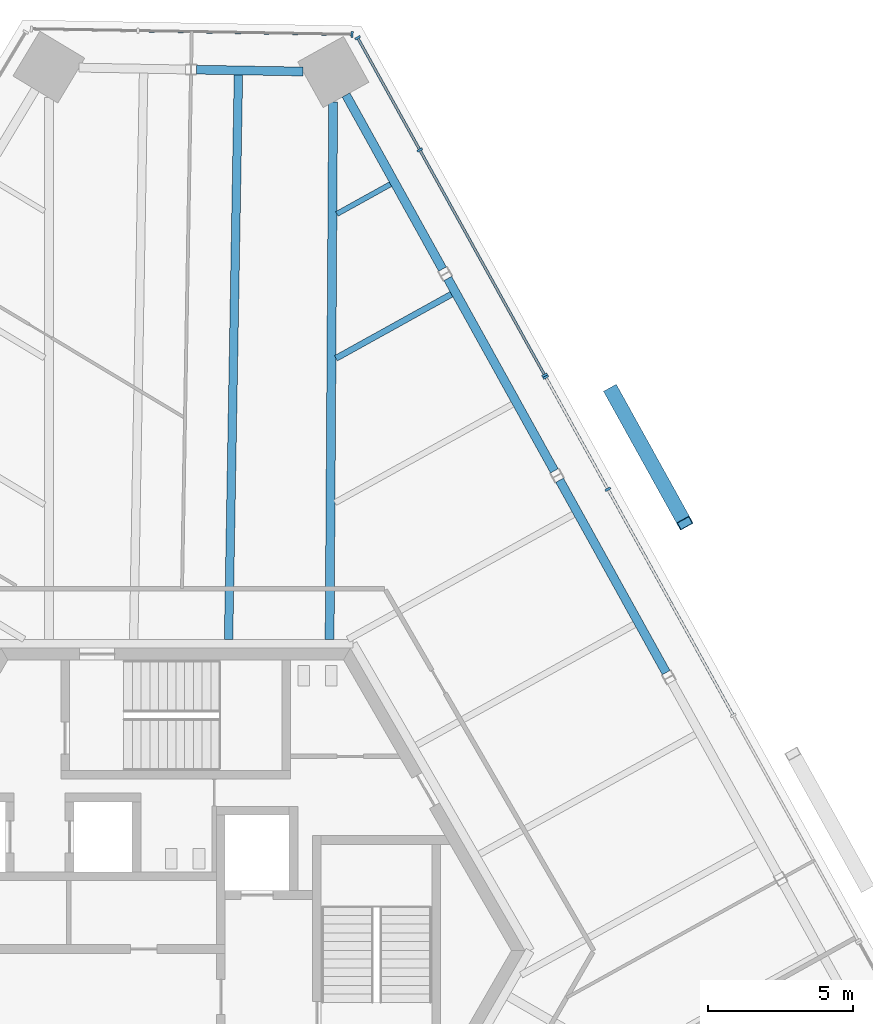
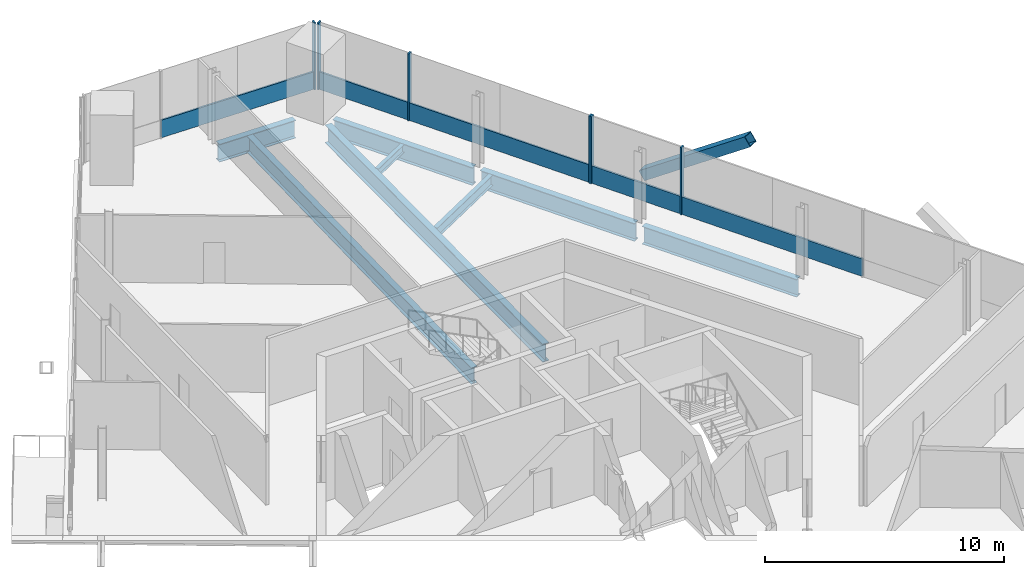
# One storey, part 9 of 18: 12 members, 8 beams, 3 elements without a shape of their own.
"""IFC4 building model written with IfcOpenShell, lengths in metres."""

from ifc_helpers import new_model, si_unit, direction, frame, origin, origin_2d, place, context, subcontext, project, spatial, rectangle, hollow_rectangle, i_section, extrude, source, transform, mapped, material, material_profile, profile_set, type_object, element, aggregate, save


model = new_model("IFC4")

# Units and contexts
model_context = context("Model", 3, precision=1e-05, world=origin(), true_north=direction((0.0, 1.0)))
body_context = subcontext(model_context, "Body", "Model", "MODEL_VIEW")
ifc_project = project(units=[si_unit("LENGTHUNIT", "METRE"), si_unit("AREAUNIT", "SQUARE_METRE"), si_unit("VOLUMEUNIT", "CUBIC_METRE"), si_unit("PLANEANGLEUNIT", "RADIAN"), si_unit("MASSUNIT", "GRAM", prefix="KILO")], contexts=[model_context])

# Site, building, storey
site_placement = place(None, origin())
site = spatial("IfcSite", under=ifc_project, at=site_placement, CompositionType="ELEMENT")
building_placement = place(site_placement, origin())
building = spatial("IfcBuilding", under=site, at=building_placement, Name="Triune Harvest Tower", CompositionType="ELEMENT")
storey_placement = place(building_placement, frame((0.0, 0.0, 190.699951171875)))
storey = spatial("IfcBuildingStorey", under=building, at=storey_placement, Name="L49", CompositionType="ELEMENT", Elevation=190.699951171875)

# Beams
ifc_material_1 = material(Name="Steel ASTM A992 Gr 50", Category="steel")
ifc_material_profile_1 = material_profile(ifc_material_1, i_section(OverallWidth=0.3046875, OverallDepth=0.914306640625, WebThickness=0.0166015625, FlangeThickness=0.02587890625, at=origin_2d()), Name="W36x160")
ifc_profile_set_1 = profile_set([ifc_material_profile_1], Name="Steel ASTM A992 Gr 50")
beam_type_1 = type_object("IfcBeamType", Name="SB-1 Spandrel beam W36x160", PredefinedType="SPANDREL", material=ifc_profile_set_1)
shared_shape_1 = source(origin(), body_context, "Body", "SweptSolid", [
    extrude(i_section(OverallWidth=0.3046875, OverallDepth=0.914306640625, WebThickness=0.0166015625, FlangeThickness=0.02587890625, at=origin_2d()), origin(), (0.0, 0.0, 1.0), 6.841796875),
])
beam_1_placement = place(storey_placement, frame((9.16943359375, 23.421875, -0.6171875), z_axis=(-0.484833781575, 0.87460631386, 0.0), x_axis=(-0.87460631386, -0.484833781575, 0.0)))
element("IfcBeam", 1, at=beam_1_placement, inside=storey, type_object=beam_type_1, Name="beam/L49/SB6", PredefinedType="SPANDREL", context=body_context, shape_type="MappedRepresentation", body=[
    mapped(shared_shape_1, transform((0.0, 0.0, 0.0), scale=1.0)),
])
shared_shape_2 = source(origin(), body_context, "Body", "SweptSolid", [
    extrude(i_section(OverallWidth=0.3046875, OverallDepth=0.914306640625, WebThickness=0.0166015625, FlangeThickness=0.02587890625, at=origin_2d()), origin(), (0.0, 0.0, 1.0), 7.556396484375),
])
for number, where, z_axis, x_axis, name in (
    (2, (16.855712890625, 9.555419921875, -0.6171875), (-0.484806011206, 0.874621707654, 0.0), (-0.874621707654, -0.484806011206, 0.0), "beam/L49/SB4"),
    (3, (13.0126953125, 16.488525390625, -0.6171875), (-0.484830726301, 0.874608007529, 0.0), (-0.874608007529, -0.484830726301, 0.0), "beam/L49/SB5"),
):
    element("IfcBeam", number, at=place(storey_placement, frame(where, z_axis=z_axis, x_axis=x_axis)), inside=storey, type_object=beam_type_1, Name=name, PredefinedType="SPANDREL", context=body_context, shape_type="MappedRepresentation", body=[
        mapped(shared_shape_2, transform((0.0, 0.0, 0.0), scale=1.0)),
    ])
shared_shape_3 = source(origin(), body_context, "Body", "SweptSolid", [
    extrude(i_section(OverallWidth=0.3046875, OverallDepth=0.914306640625, WebThickness=0.0166015625, FlangeThickness=0.02587890625, at=origin_2d()), origin(), (0.0, 0.0, 1.0), 3.66357421875),
])
beam_2_placement = place(storey_placement, frame((4.376953125, 30.211181640625, -0.6171875), z_axis=(-0.999847573959, 0.017459348466, 0.0), x_axis=(-0.017459348466, -0.999847573959, 0.0)))
element("IfcBeam", 4, at=beam_2_placement, inside=storey, type_object=beam_type_1, Name="beam/L49/SB7", PredefinedType="SPANDREL", context=body_context, shape_type="MappedRepresentation", body=[
    mapped(shared_shape_3, transform((0.0, 0.0, 0.0), scale=1.0)),
])
ifc_material_2 = material(Name="Steel ASTM A992 Gr 50", Category="steel")
ifc_material_profile_2 = material_profile(ifc_material_2, i_section(OverallWidth=0.307373046875, OverallDepth=0.922119140625, WebThickness=0.018310546875, FlangeThickness=0.030029296875, at=origin_2d()), Name="W36x182")
ifc_profile_set_2 = profile_set([ifc_material_profile_2], Name="Steel ASTM A992 Gr 50")
beam_type_2 = type_object("IfcBeamType", Name="HG-2 Hip girder W36x182", PredefinedType="BEAM", material=ifc_profile_set_2)
shared_shape_4 = source(origin(), body_context, "Body", "SweptSolid", [
    extrude(i_section(OverallWidth=0.307373046875, OverallDepth=0.922119140625, WebThickness=0.018310546875, FlangeThickness=0.030029296875, at=origin_2d()), origin(), (0.0, 0.0, 1.0), 18.463623046875),
])
beam_3_placement = place(storey_placement, frame((5.409423828125, 29.16015625, -0.620849609375), z_axis=(-0.006518869748, -0.999978751943, 0.0), x_axis=(0.999978751943, -0.006518869748, 0.0)))
element("IfcBeam", 5, at=beam_3_placement, inside=storey, type_object=beam_type_2, Name="beam/L49/HG3", PredefinedType="BEAM", context=body_context, shape_type="MappedRepresentation", body=[
    mapped(shared_shape_4, transform((0.0, 0.0, 0.0), scale=1.0)),
])
ifc_material_3 = material(Name="Steel ASTM A992 Gr 50", Category="steel")
ifc_material_profile_3 = material_profile(ifc_material_3, i_section(OverallWidth=0.2099609375, OverallDepth=0.535888671875, WebThickness=0.010986328125, FlangeThickness=0.017333984375, at=origin_2d()), Name="W21x68")
ifc_profile_set_3 = profile_set([ifc_material_profile_3], Name="Steel ASTM A992 Gr 50")
beam_type_3 = type_object("IfcBeamType", Name="JT-2 Floor joist W21x68", PredefinedType="JOIST", material=ifc_profile_set_3)
shared_shape_5 = source(origin(), body_context, "Body", "SweptSolid", [
    extrude(i_section(OverallWidth=0.2099609375, OverallDepth=0.535888671875, WebThickness=0.010986328125, FlangeThickness=0.017333984375, at=origin_2d()), origin(), (0.0, 0.0, 1.0), 4.538818359375),
])
beam_4_placement = place(storey_placement, frame((9.475341796875, 22.555419921875, -0.427978515625), z_axis=(-0.874621193693, -0.484806938423, 0.0), x_axis=(0.484806938423, -0.874621193693, 0.0)))
element("IfcBeam", 6, at=beam_4_placement, inside=storey, type_object=beam_type_3, Name="beam/L49/JT9", PredefinedType="JOIST", context=body_context, shape_type="MappedRepresentation", body=[
    mapped(shared_shape_5, transform((0.0, 0.0, 0.0), scale=1.0)),
])
ifc_material_4 = material(Name="Steel ASTM A992 Gr 50", Category="steel")
ifc_material_profile_4 = material_profile(ifc_material_4, i_section(OverallWidth=0.180908203125, OverallDepth=0.41650390625, WebThickness=0.010986328125, FlangeThickness=0.01806640625, at=origin_2d()), Name="W16x57")
ifc_profile_set_4 = profile_set([ifc_material_profile_4], Name="Steel ASTM A992 Gr 50")
beam_type_4 = type_object("IfcBeamType", Name="JT-1 Floor joist W16x57", PredefinedType="JOIST", material=ifc_profile_set_4)
shared_shape_6 = source(origin(), body_context, "Body", "SweptSolid", [
    extrude(i_section(OverallWidth=0.180908203125, OverallDepth=0.41650390625, WebThickness=0.010986328125, FlangeThickness=0.01806640625, at=origin_2d()), origin(), (0.0, 0.0, 1.0), 2.10498046875),
])
beam_5_placement = place(storey_placement, frame((7.379150390625, 26.33740234375, -0.3681640625), z_axis=(-0.874621898411, -0.484805667067, 0.0), x_axis=(0.484805667067, -0.874621898411, 0.0)))
element("IfcBeam", 7, at=beam_5_placement, inside=storey, type_object=beam_type_4, Name="beam/L49/JT10", PredefinedType="JOIST", context=body_context, shape_type="MappedRepresentation", body=[
    mapped(shared_shape_6, transform((0.0, 0.0, 0.0), scale=1.0)),
])
ifc_material_5 = material(Name="Steel ASTM A992 Gr 50", Category="steel")
ifc_material_profile_5 = material_profile(ifc_material_5, i_section(OverallWidth=0.2919921875, OverallDepth=0.8408203125, WebThickness=0.0146484375, FlangeThickness=0.021728515625, at=origin_2d()), Name="W33x130")
ifc_profile_set_5 = profile_set([ifc_material_profile_5], Name="Steel ASTM A992 Gr 50")
beam_type_5 = type_object("IfcBeamType", Name="JT-6 Floor joist W33x130", PredefinedType="JOIST", material=ifc_profile_set_5)
shared_shape_7 = source(origin(), body_context, "Body", "SweptSolid", [
    extrude(i_section(OverallWidth=0.2919921875, OverallDepth=0.8408203125, WebThickness=0.0146484375, FlangeThickness=0.021728515625, at=origin_2d()), origin(), (0.0, 0.0, 1.0), 19.403564453125),
])
beam_6_placement = place(storey_placement, frame((2.155029296875, 30.09765625, -0.580322265625), z_axis=(-0.017451567023, -0.999847709808, 0.0), x_axis=(0.999847709808, -0.017451567023, 0.0)))
element("IfcBeam", 8, at=beam_6_placement, inside=storey, type_object=beam_type_5, Name="beam/L49/JT11", PredefinedType="JOIST", context=body_context, shape_type="MappedRepresentation", body=[
    mapped(shared_shape_7, transform((0.0, 0.0, 0.0), scale=1.0)),
])

# Member
ifc_material_6 = material(Name="Steel ASTM A572 Gr 50", Category="steel")
ifc_material_profile_6 = material_profile(ifc_material_6, hollow_rectangle(XDim=0.5, YDim=0.5, WallThickness=0.030029296875, at=origin_2d()), Name="Box 500x500x30")
ifc_profile_set_6 = profile_set([ifc_material_profile_6], Name="Steel ASTM A572 Gr 50")
member_type_1 = type_object("IfcMemberType", Name="BR-3 Brace Box 500x500x30", PredefinedType="BRACE", material=ifc_profile_set_6)
shared_shape_8 = source(origin(), body_context, "Body", "SweptSolid", [
    extrude(hollow_rectangle(XDim=0.5, YDim=0.5, WallThickness=0.030029296875, at=origin_2d()), origin(), (0.0, 0.0, 1.0), 6.30322265625),
])
member_1_placement = place(storey_placement, frame((14.989990234375, 19.216552734375, 0.0), z_axis=(0.39794637939, -0.717922536693, 0.571161895122), x_axis=(0.874622073529, 0.484805351143, 0.0)))
element("IfcMember", 9, at=member_1_placement, inside=storey, type_object=member_type_1, Name="brace/B5-F1/d2/4", PredefinedType="BRACE", context=body_context, shape_type="MappedRepresentation", body=[
    mapped(shared_shape_8, transform((0.0, 0.0, 0.0), scale=1.0)),
])

# Curtain wall, members
ifc_material_7 = material(Name="Aluminium bronze anodised", Category="aluminium")
curtain_wall_type_1 = type_object("IfcCurtainWallType", Name="CW-7 Tower stick curtain wall with insulated spandrel infill", PredefinedType="NOTDEFINED", material=ifc_material_7)
curtain_wall_1_placement = place(storey_placement, origin())
curtain_wall_1 = element("IfcCurtainWall", 10, at=curtain_wall_1_placement, inside=storey, type_object=curtain_wall_type_1, Name="CW-7 B5-F1 L49 run 1001")
ifc_material_8 = material(Name="Aluminium bronze anodised", Category="aluminium")
ifc_material_profile_7 = material_profile(ifc_material_8, rectangle(XDim=0.199951171875, YDim=0.074951171875, at=origin_2d()), Name="MU-1 mullion 75 x 200")
ifc_profile_set_7 = profile_set([ifc_material_profile_7], Name="Aluminium bronze anodised")
member_type_2 = type_object("IfcMemberType", Name="MU-1 mullion 75 x 200", PredefinedType="MULLION", material=ifc_profile_set_7)
shared_shape_9 = source(origin(), body_context, "Body", "SweptSolid", [
    extrude(rectangle(XDim=0.199951171875, YDim=0.074951171875, at=origin_2d()), origin(), (0.0, 0.0, 1.0), 3.43994140625),
])
member_2_placement = place(storey_placement, frame((14.8525390625, 15.85498046875, 0.0), z_axis=(0.0, 0.0, 1.0), x_axis=(-0.874619845993, -0.484809369748, 0.0)))
member_2 = element("IfcMember", 11, at=member_2_placement, type_object=member_type_2, Name="CW-7 mullion B5-F1 1001.5", PredefinedType="MULLION", context=body_context, shape_type="MappedRepresentation", body=[
    mapped(shared_shape_9, transform((0.0, 0.0, 0.0), scale=1.0)),
])
member_3_placement = place(storey_placement, frame((12.716064453125, 19.709228515625, 0.0), z_axis=(0.0, 0.0, 1.0), x_axis=(-0.874619845993, -0.484809369748, 0.0)))
member_3 = element("IfcMember", 12, at=member_3_placement, type_object=member_type_2, Name="CW-7 mullion B5-F1 1001.6", PredefinedType="MULLION", context=body_context, shape_type="MappedRepresentation", body=[
    mapped(shared_shape_9, transform((0.0, 0.0, 0.0), scale=1.0)),
])

ifc_material_9 = material(Name="Aluminium bronze anodised", Category="aluminium")
curtain_wall_type_2 = type_object("IfcCurtainWallType", Name="CW-1 Tower stick curtain wall", PredefinedType="NOTDEFINED", material=ifc_material_9)
curtain_wall_2_placement = place(storey_placement, origin())
curtain_wall_2 = element("IfcCurtainWall", 13, at=curtain_wall_2_placement, inside=storey, type_object=curtain_wall_type_2, Name="CW-1 B5-F1 L49 run 2001")
member_4_placement = place(storey_placement, frame((12.679931640625, 19.77490234375, 0.0), z_axis=(0.0, 0.0, 1.0), x_axis=(-0.874620747076, -0.484807744147, 0.0)))
member_4 = element("IfcMember", 14, at=member_4_placement, type_object=member_type_2, Name="CW-1 mullion B5-F1 2001.1", PredefinedType="MULLION", context=body_context, shape_type="MappedRepresentation", body=[
    mapped(shared_shape_9, transform((0.0, 0.0, 0.0), scale=1.0)),
])
member_5_placement = place(storey_placement, frame((8.388671875, 27.51611328125, 0.0), z_axis=(0.0, 0.0, 1.0), x_axis=(-0.874620747076, -0.484807744147, 0.0)))
member_5 = element("IfcMember", 15, at=member_5_placement, type_object=member_type_2, Name="CW-1 mullion B5-F1 2001.3", PredefinedType="MULLION", context=body_context, shape_type="MappedRepresentation", body=[
    mapped(shared_shape_9, transform((0.0, 0.0, 0.0), scale=1.0)),
])
member_6_placement = place(storey_placement, frame((6.252197265625, 31.370361328125, 0.0), z_axis=(0.0, 0.0, 1.0), x_axis=(-0.874620747076, -0.484807744147, 0.0)))
member_6 = element("IfcMember", 16, at=member_6_placement, type_object=member_type_2, Name="CW-1 mullion B5-F1 2001.4", PredefinedType="MULLION", context=body_context, shape_type="MappedRepresentation", body=[
    mapped(shared_shape_9, transform((0.0, 0.0, 0.0), scale=1.0)),
])

curtain_wall_3_placement = place(storey_placement, origin())
curtain_wall_3 = element("IfcCurtainWall", 17, at=curtain_wall_3_placement, inside=storey, type_object=curtain_wall_type_2, Name="CW-1 B5-F2 L49 run 1")
member_7_placement = place(storey_placement, frame((6.06298828125, 31.484130859375, 0.0), z_axis=(0.0, 0.0, 1.0), x_axis=(-0.017446318452, -0.999847801404, 0.0)))
member_7 = element("IfcMember", 18, at=member_7_placement, type_object=member_type_2, Name="CW-1 mullion B5-F2 1.1", PredefinedType="MULLION", context=body_context, shape_type="MappedRepresentation", body=[
    mapped(shared_shape_9, transform((0.0, 0.0, 0.0), scale=1.0)),
])
ifc_material_10 = material(Name="Aluminium bronze anodised", Category="aluminium")
ifc_material_profile_8 = material_profile(ifc_material_10, rectangle(XDim=0.090087890625, YDim=0.89990234375, at=origin_2d()), Name="TR-1 transom 90 x 900")
ifc_profile_set_8 = profile_set([ifc_material_profile_8], Name="Aluminium bronze anodised")
member_type_3 = type_object("IfcMemberType", Name="TR-1 transom 90 x 900", PredefinedType="USERDEFINED", material=ifc_profile_set_8)
shared_shape_10 = source(origin(), body_context, "Body", "SweptSolid", [
    extrude(rectangle(XDim=0.090087890625, YDim=0.89990234375, at=origin_2d()), origin(), (0.0, 0.0, 1.0), 7.287841796875),
])
member_8_placement = place(storey_placement, frame((6.025634765625, 31.48486328125, 0.449951171875), z_axis=(-0.999848258084, 0.017420126456, 0.0), x_axis=(-0.017420126456, -0.999848258084, 0.0)))
member_8 = element("IfcMember", 19, at=member_8_placement, type_object=member_type_3, Name="CW-1 transom B5-F2 1.1", ObjectType="TRANSOM", PredefinedType="USERDEFINED", context=body_context, shape_type="MappedRepresentation", body=[
    mapped(shared_shape_10, transform((0.0, 0.0, 0.0), scale=1.0)),
])
aggregate(curtain_wall_3, [member_7, member_8])

# Member
shared_shape_11 = source(origin(), body_context, "Body", "SweptSolid", [
    extrude(rectangle(XDim=0.090087890625, YDim=0.89990234375, at=origin_2d()), origin(), (0.0, 0.0, 1.0), 8.776123046875),
])
member_9_placement = place(storey_placement, frame((12.66162109375, 19.8076171875, 0.449951171875), z_axis=(-0.484799478491, 0.874625328729, 0.0), x_axis=(-0.874625328729, -0.484799478491, 0.0)))
member_9 = element("IfcMember", 20, at=member_9_placement, type_object=member_type_3, Name="CW-1 transom B5-F1 2001.1", ObjectType="TRANSOM", PredefinedType="USERDEFINED", context=body_context, shape_type="MappedRepresentation", body=[
    mapped(shared_shape_11, transform((0.0, 0.0, 0.0), scale=1.0)),
])

shared_shape_12 = source(origin(), body_context, "Body", "SweptSolid", [
    extrude(rectangle(XDim=0.090087890625, YDim=0.89990234375, at=origin_2d()), origin(), (0.0, 0.0, 1.0), 8.8134765625),
])
member_10_placement = place(storey_placement, frame((19.143798828125, 8.11376953125, 0.449951171875), z_axis=(-0.484814833127, 0.874616817572, 0.0), x_axis=(-0.874616817572, -0.484814833127, 0.0)))
member_10 = element("IfcMember", 21, at=member_10_placement, type_object=member_type_3, Name="CW-7 transom B5-F1 1001.2", ObjectType="TRANSOM", PredefinedType="USERDEFINED", context=body_context, shape_type="MappedRepresentation", body=[
    mapped(shared_shape_12, transform((0.0, 0.0, 0.0), scale=1.0)),
])

shared_shape_13 = source(origin(), body_context, "Body", "SweptSolid", [
    extrude(rectangle(XDim=0.090087890625, YDim=0.89990234375, at=origin_2d()), origin(), (0.0, 0.0, 1.0), 4.33203125),
])
member_11_placement = place(storey_placement, frame((14.83447265625, 15.8876953125, 0.449951171875), z_axis=(-0.484795730824, 0.874627406028, 0.0), x_axis=(-0.874627406028, -0.484795730824, 0.0)))
member_11 = element("IfcMember", 22, at=member_11_placement, type_object=member_type_3, Name="CW-7 transom B5-F1 1001.3", ObjectType="TRANSOM", PredefinedType="USERDEFINED", context=body_context, shape_type="MappedRepresentation", body=[
    mapped(shared_shape_13, transform((0.0, 0.0, 0.0), scale=1.0)),
])

aggregate(curtain_wall_1, [member_2, member_3, member_10, member_11])

member_12_placement = place(storey_placement, frame((8.37060546875, 27.548828125, 0.449951171875), z_axis=(-0.484795730824, 0.874627406028, 0.0), x_axis=(-0.874627406028, -0.484795730824, 0.0)))
member_12 = element("IfcMember", 23, at=member_12_placement, type_object=member_type_3, Name="CW-1 transom B5-F1 2001.2", ObjectType="TRANSOM", PredefinedType="USERDEFINED", context=body_context, shape_type="MappedRepresentation", body=[
    mapped(shared_shape_13, transform((0.0, 0.0, 0.0), scale=1.0)),
])

aggregate(curtain_wall_2, [member_4, member_5, member_6, member_9, member_12])

save(model, "model.ifc")
